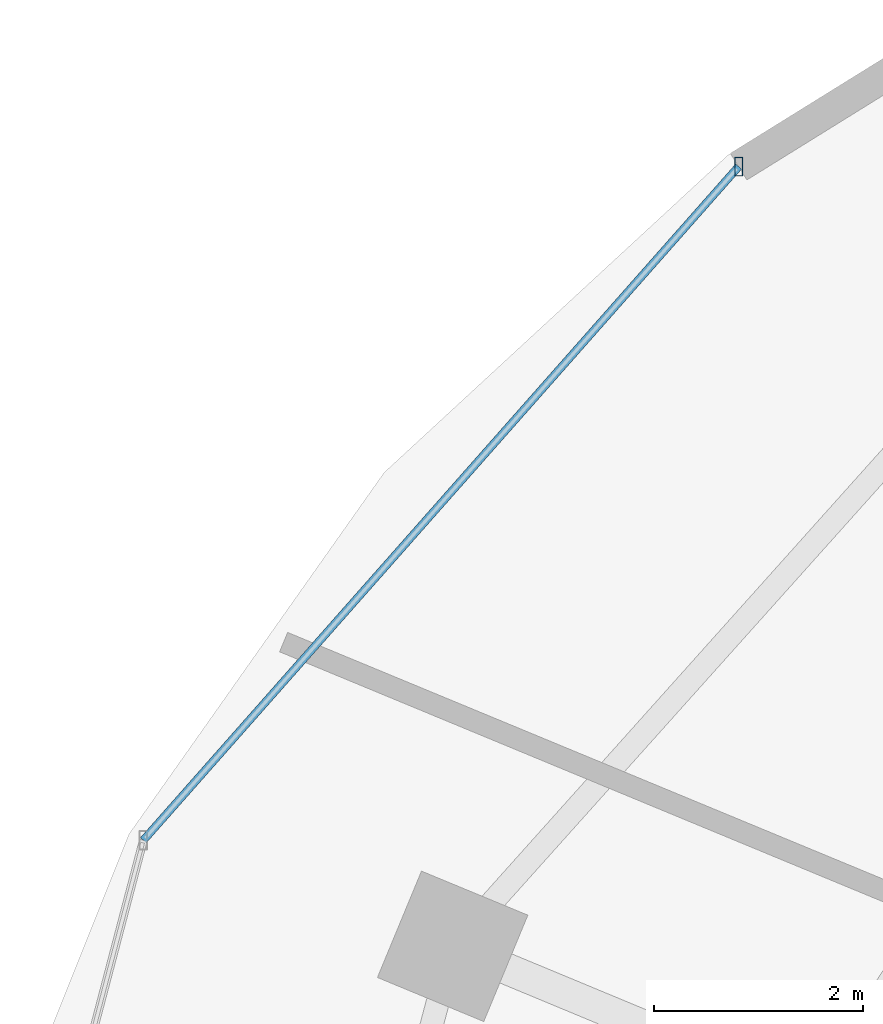
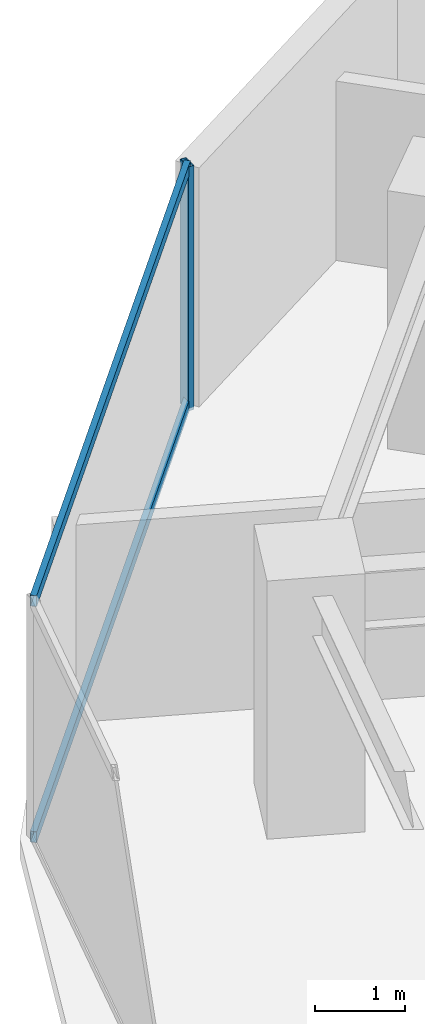
# One storey, part 17 of 31: 3 members, 1 element without a shape of its own.
"""IFC4 building model written with IfcOpenShell, lengths in metres."""

from ifc_helpers import new_model, si_unit, direction, frame, origin, origin_2d, place, context, subcontext, project, spatial, hollow_rectangle, extrude, material, material_profile, profile_set, type_object, element, aggregate, save


model = new_model("IFC4")

# Units and contexts
model_context = context("Model", 3, precision=1e-05, world=origin(), true_north=direction((0.0, 1.0)))
body_context = subcontext(model_context, "Body", "Model", "MODEL_VIEW")
ifc_project = project(units=[si_unit("LENGTHUNIT", "METRE"), si_unit("AREAUNIT", "SQUARE_METRE"), si_unit("VOLUMEUNIT", "CUBIC_METRE"), si_unit("PLANEANGLEUNIT", "RADIAN"), si_unit("MASSUNIT", "GRAM", prefix="KILO")], contexts=[model_context])

# Site, building, storey
site_placement = place(None, origin())
site = spatial("IfcSite", under=ifc_project, at=site_placement, CompositionType="ELEMENT")
building_placement = place(site_placement, origin())
building = spatial("IfcBuilding", under=site, at=building_placement, Name="Vorneva Point Tower", CompositionType="ELEMENT")
storey_placement = place(building_placement, frame((0.0, 0.0, 99.800048828125)))
storey = spatial("IfcBuildingStorey", under=building, at=storey_placement, Name="L26", CompositionType="ELEMENT", Elevation=99.800048828125)

# Curtain wall, members
ifc_material = material(Name="Pale anodised aluminium", Category="aluminium")
curtain_wall_type = type_object("IfcCurtainWallType", Name="CW-HTL-SYS", PredefinedType="NOTDEFINED", material=ifc_material)
curtain_wall_placement = place(storey_placement, origin())
curtain_wall = element("IfcCurtainWall", 1, at=curtain_wall_placement, inside=storey, type_object=curtain_wall_type, Name="L26 Unitised Curtain Wall CW-L26-R03", PredefinedType="NOTDEFINED")
ifc_material_profile_1 = material_profile(ifc_material, hollow_rectangle(XDim=0.074951171875, YDim=0.179931640625, WallThickness=0.00390625, at=origin_2d()), Name="AL-MUL 180x75x4")
ifc_profile_set_1 = profile_set([ifc_material_profile_1], Name="Pale anodised aluminium")
member_type_1 = type_object("IfcMemberType", Name="CW-MUL-180", PredefinedType="MULLION", material=ifc_profile_set_1)
member_1_placement = place(storey_placement, frame((19.4384765625, 40.0361328125, -0.0400390625), z_axis=(0.0, 0.0, 1.0), x_axis=(1.0, 0.0, 0.0)))
member_1 = element("IfcMember", 2, at=member_1_placement, type_object=member_type_1, Name="CW-L26-R03 Mullion 01", PredefinedType="MULLION", context=body_context, shape_type="SweptSolid", body=[
    extrude(hollow_rectangle(XDim=0.074951171875, YDim=0.179931640625, WallThickness=0.00390625, at=origin_2d()), origin(), (0.0, 0.0, 1.0), 3.31005859375),
])
ifc_material_profile_2 = material_profile(ifc_material, hollow_rectangle(XDim=0.074951171875, YDim=0.14990234375, WallThickness=0.00390625, at=origin_2d()), Name="AL-TRN 150x75x4")
ifc_profile_set_2 = profile_set([ifc_material_profile_2], Name="Pale anodised aluminium")
member_type_2 = type_object("IfcMemberType", Name="CW-TRN-150", PredefinedType="USERDEFINED", material=ifc_profile_set_2)
member_2_placement = place(storey_placement, frame((19.4384765625, 40.0361328125, 0.02001953125), z_axis=(-0.662137326257, -0.74938251993, 0.0), x_axis=(0.74938251993, -0.662137326257, 0.0)))
member_2 = element("IfcMember", 3, at=member_2_placement, type_object=member_type_2, Name="CW-L26-R03 Transom 01.1", ObjectType="TRANSOM", PredefinedType="USERDEFINED", context=body_context, shape_type="SweptSolid", body=[
    extrude(hollow_rectangle(XDim=0.074951171875, YDim=0.14990234375, WallThickness=0.00390625, at=origin_2d()), origin(), (0.0, 0.0, 1.0), 8.59375),
])
member_3_placement = place(storey_placement, frame((19.4384765625, 40.0361328125, 3.219970703125), z_axis=(-0.662137326257, -0.74938251993, 0.0), x_axis=(0.74938251993, -0.662137326257, 0.0)))
member_3 = element("IfcMember", 4, at=member_3_placement, type_object=member_type_2, Name="CW-L26-R03 Transom 01.2", ObjectType="TRANSOM", PredefinedType="USERDEFINED", context=body_context, shape_type="SweptSolid", body=[
    extrude(hollow_rectangle(XDim=0.074951171875, YDim=0.14990234375, WallThickness=0.00390625, at=origin_2d()), origin(), (0.0, 0.0, 1.0), 8.59375),
])
aggregate(curtain_wall, [member_1, member_2, member_3])

save(model, "model.ifc")
